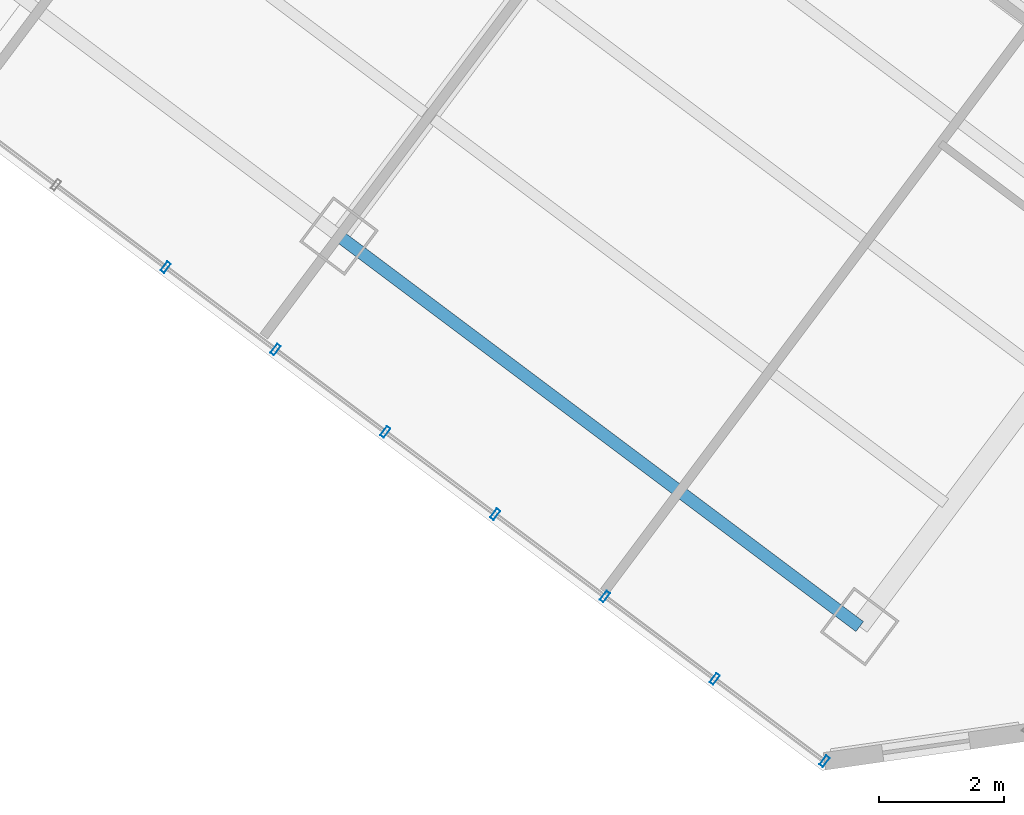
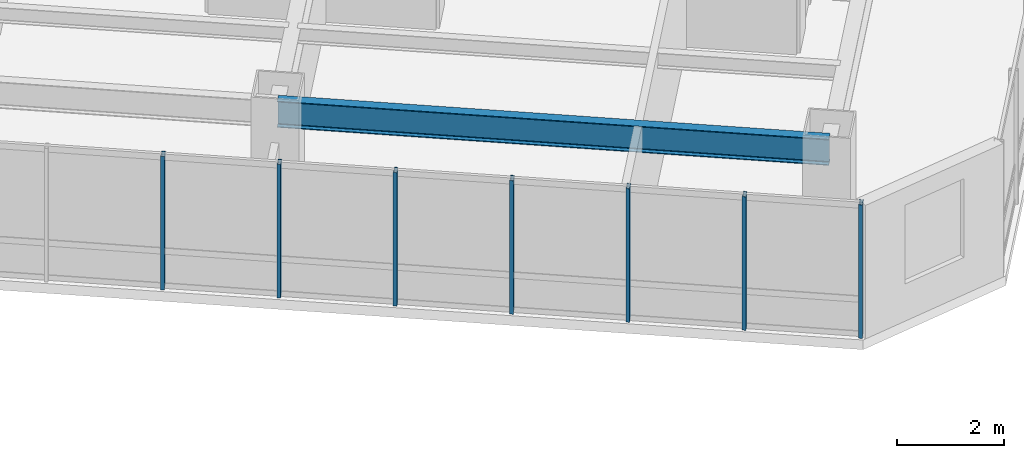
# One storey, part 11 of 36: 7 members, 1 beam, 1 element without a shape of its own.
"""IFC4 building model written with IfcOpenShell, lengths in metres."""

from ifc_helpers import new_model, si_unit, direction, frame, origin, origin_2d, place, context, subcontext, project, spatial, hollow_rectangle, i_section, extrude, material, layer, layer_set, material_profile, profile_set, type_object, element, aggregate, save


model = new_model("IFC4")

# Units and contexts
model_context = context("Model", 3, precision=1e-05, world=origin(), true_north=direction((0.0, 1.0)))
body_context = subcontext(model_context, "Body", "Model", "MODEL_VIEW")
ifc_project = project(units=[si_unit("LENGTHUNIT", "METRE"), si_unit("AREAUNIT", "SQUARE_METRE"), si_unit("VOLUMEUNIT", "CUBIC_METRE"), si_unit("PLANEANGLEUNIT", "RADIAN"), si_unit("MASSUNIT", "GRAM", prefix="KILO")], contexts=[model_context])

# Site, building, storey
site_placement = place(None, origin())
site = spatial("IfcSite", under=ifc_project, at=site_placement, CompositionType="ELEMENT")
building_placement = place(site_placement, origin())
building = spatial("IfcBuilding", under=site, at=building_placement, Name="Hatsunagi Terrace Concourse", CompositionType="ELEMENT")
storey_placement = place(building_placement, frame((0.0, 0.0, 88.0)))
storey = spatial("IfcBuildingStorey", under=building, at=storey_placement, Name="L23", CompositionType="ELEMENT", Elevation=88.0)

# Curtain wall, members
ifc_material_1 = material(Name="Anodised Aluminium Alloy 6063-T5", Category="aluminium")
ifc_layer = layer(ifc_material_1, 0.199951171875)
ifc_layer_set = layer_set([ifc_layer], Name="HotelFacade_CW02")
curtain_wall_type = type_object("IfcCurtainWallType", Name="HotelFacade_CW02", PredefinedType="NOTDEFINED", material=ifc_layer_set)
curtain_wall_placement = place(storey_placement, origin())
curtain_wall = element("IfcCurtainWall", 1, at=curtain_wall_placement, inside=storey, type_object=curtain_wall_type, Name="Unitised Curtain Wall CW-02 CW-L23-05", PredefinedType="NOTDEFINED")
ifc_material_2 = material(Name="Anodised Aluminium Alloy 6063-T5", Category="aluminium")
ifc_material_profile_1 = material_profile(ifc_material_2, hollow_rectangle(XDim=0.070068359375, YDim=0.179931640625, WallThickness=0.00390625, at=origin_2d()), Name="ALU-MUL-180x70x4")
ifc_profile_set_1 = profile_set([ifc_material_profile_1], Name="Anodised Aluminium Alloy 6063-T5")
member_type = type_object("IfcMemberType", Name="CurtainWallMullion_180x70", PredefinedType="MULLION", material=ifc_profile_set_1)
member_1_placement = place(storey_placement, frame((53.318115234375, 2.487060546875, 0.0), z_axis=(0.0, 0.0, 1.0), x_axis=(-0.800003116929, 0.599995844072, 0.0)))
member_1 = element("IfcMember", 2, at=member_1_placement, type_object=member_type, Name="Curtain Wall Mullion MUL-02", PredefinedType="MULLION", context=body_context, shape_type="SweptSolid", body=[
    extrude(hollow_rectangle(XDim=0.070068359375, YDim=0.179931640625, WallThickness=0.00390625, at=origin_2d()), origin(), (0.0, 0.0, 1.0), 3.050048828125),
])
member_2_placement = place(storey_placement, frame((51.56396484375, 3.802978515625, 0.0), z_axis=(0.0, 0.0, 1.0), x_axis=(-0.800003116929, 0.599995844072, 0.0)))
member_2 = element("IfcMember", 3, at=member_2_placement, type_object=member_type, Name="Curtain Wall Mullion MUL-02", PredefinedType="MULLION", context=body_context, shape_type="SweptSolid", body=[
    extrude(hollow_rectangle(XDim=0.070068359375, YDim=0.179931640625, WallThickness=0.00390625, at=origin_2d()), origin(), (0.0, 0.0, 1.0), 3.050048828125),
])
member_3_placement = place(storey_placement, frame((49.80908203125, 5.118896484375, 0.0), z_axis=(0.0, 0.0, 1.0), x_axis=(-0.800003116929, 0.599995844072, 0.0)))
member_3 = element("IfcMember", 4, at=member_3_placement, type_object=member_type, Name="Curtain Wall Mullion MUL-02", PredefinedType="MULLION", context=body_context, shape_type="SweptSolid", body=[
    extrude(hollow_rectangle(XDim=0.070068359375, YDim=0.179931640625, WallThickness=0.00390625, at=origin_2d()), origin(), (0.0, 0.0, 1.0), 3.050048828125),
])
member_4_placement = place(storey_placement, frame((48.054931640625, 6.43408203125, 0.0), z_axis=(0.0, 0.0, 1.0), x_axis=(-0.800003116929, 0.599995844072, 0.0)))
member_4 = element("IfcMember", 5, at=member_4_placement, type_object=member_type, Name="Curtain Wall Mullion MUL-02", PredefinedType="MULLION", context=body_context, shape_type="SweptSolid", body=[
    extrude(hollow_rectangle(XDim=0.070068359375, YDim=0.179931640625, WallThickness=0.00390625, at=origin_2d()), origin(), (0.0, 0.0, 1.0), 3.050048828125),
])
member_5_placement = place(storey_placement, frame((46.300048828125, 7.75, 0.0), z_axis=(0.0, 0.0, 1.0), x_axis=(-0.800003116929, 0.599995844072, 0.0)))
member_5 = element("IfcMember", 6, at=member_5_placement, type_object=member_type, Name="Curtain Wall Mullion MUL-02", PredefinedType="MULLION", context=body_context, shape_type="SweptSolid", body=[
    extrude(hollow_rectangle(XDim=0.070068359375, YDim=0.179931640625, WallThickness=0.00390625, at=origin_2d()), origin(), (0.0, 0.0, 1.0), 3.050048828125),
])
member_6_placement = place(storey_placement, frame((44.5458984375, 9.06591796875, 0.0), z_axis=(0.0, 0.0, 1.0), x_axis=(-0.800003116929, 0.599995844072, 0.0)))
member_6 = element("IfcMember", 7, at=member_6_placement, type_object=member_type, Name="Curtain Wall Mullion MUL-02", PredefinedType="MULLION", context=body_context, shape_type="SweptSolid", body=[
    extrude(hollow_rectangle(XDim=0.070068359375, YDim=0.179931640625, WallThickness=0.00390625, at=origin_2d()), origin(), (0.0, 0.0, 1.0), 3.050048828125),
])
member_7_placement = place(storey_placement, frame((42.791015625, 10.382080078125, 0.0), z_axis=(0.0, 0.0, 1.0), x_axis=(-0.800003116929, 0.599995844072, 0.0)))
member_7 = element("IfcMember", 8, at=member_7_placement, type_object=member_type, Name="Curtain Wall Mullion MUL-02", PredefinedType="MULLION", context=body_context, shape_type="SweptSolid", body=[
    extrude(hollow_rectangle(XDim=0.070068359375, YDim=0.179931640625, WallThickness=0.00390625, at=origin_2d()), origin(), (0.0, 0.0, 1.0), 3.050048828125),
])
aggregate(curtain_wall, [member_1, member_2, member_3, member_4, member_5, member_6, member_7])

# Beam
ifc_material_3 = material(Name="Steel SN490B", Category="steel")
ifc_material_profile_2 = material_profile(ifc_material_3, i_section(OverallWidth=0.199951171875, OverallDepth=0.60009765625, WebThickness=0.010986328125, FlangeThickness=0.01708984375, FilletRadius=0.01806640625, at=origin_2d()), Name="H-600x200x11x17")
ifc_profile_set_2 = profile_set([ifc_material_profile_2], Name="Steel SN490B")
beam_type = type_object("IfcBeamType", Name="PerimeterSpandrel_H_600x200", PredefinedType="SPANDREL", material=ifc_profile_set_2)
beam_placement = place(storey_placement, frame((45.56005859375, 10.8798828125, 2.75), z_axis=(0.799994365871, -0.600007512099, 0.0), x_axis=(0.600007512099, 0.799994365871, 0.0)))
element("IfcBeam", 9, at=beam_placement, inside=storey, type_object=beam_type, Name="Beam SP-01 BM-L23-SE-SW3", PredefinedType="SPANDREL", context=body_context, shape_type="SweptSolid", body=[
    extrude(i_section(OverallWidth=0.199951171875, OverallDepth=0.60009765625, WebThickness=0.010986328125, FlangeThickness=0.01708984375, FilletRadius=0.01806640625, at=origin_2d()), origin(), (0.0, 0.0, 1.0), 10.39990234375),
])

save(model, "model.ifc")
